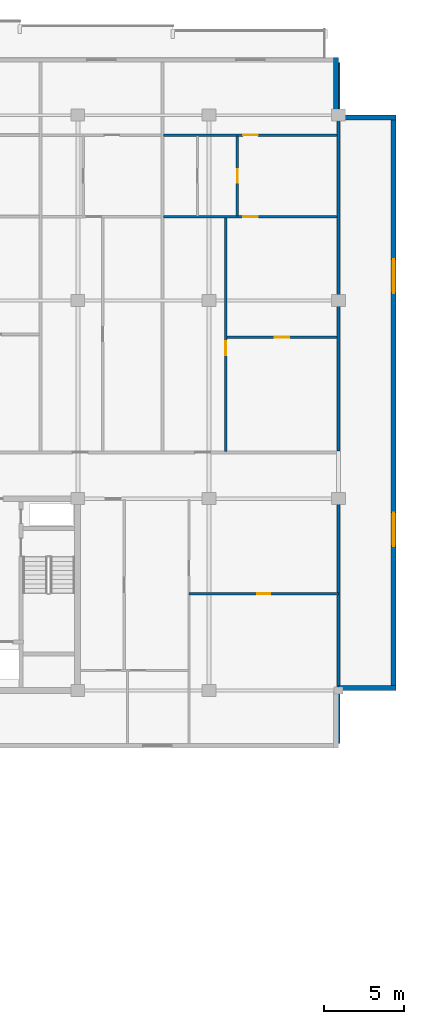
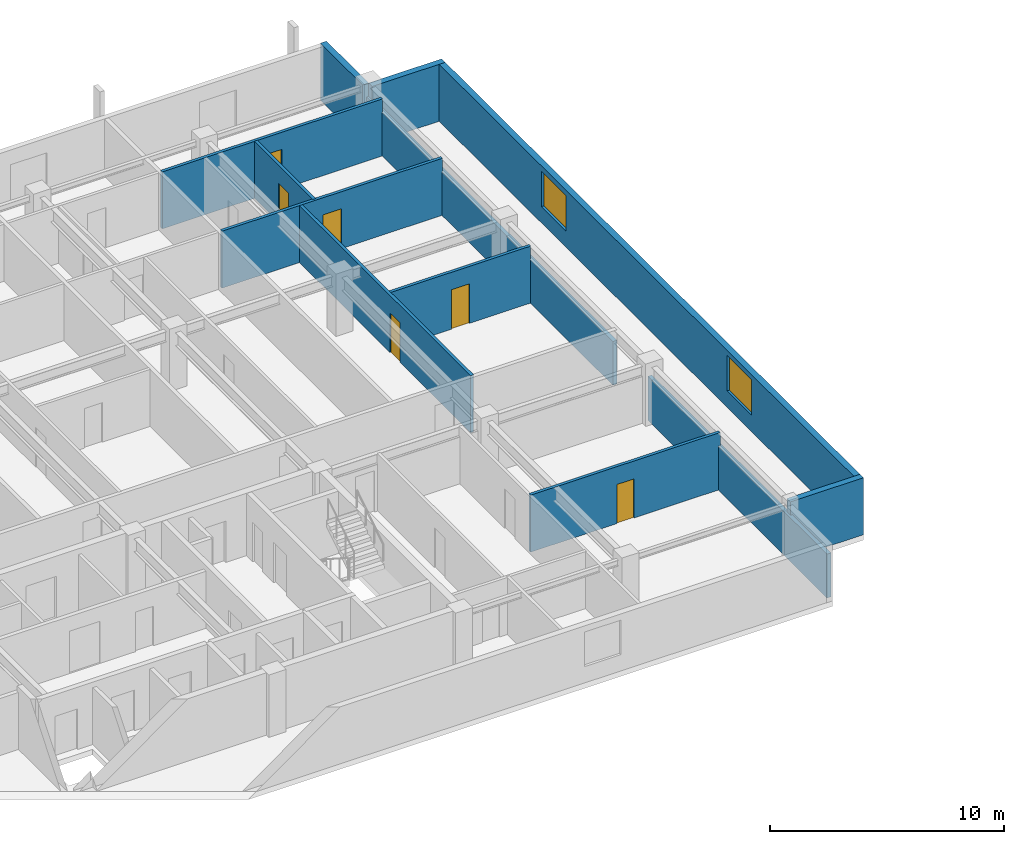
# One storey, part 15 of 21: 12 walls, 6 doors, 2 windows, 8 openings.
"""IFC4 building model written with IfcOpenShell, lengths in metres."""

from ifc_helpers import new_model, si_unit, direction, frame, frame_2d, origin, place, context, subcontext, project, spatial, rectangle, extrude, material, layer, layer_set, type_object, element, fill, save


model = new_model("IFC4")

# Units and contexts
model_context = context("Model", 3, precision=1e-05, world=origin(), true_north=direction((0.0, 1.0)))
body_context = subcontext(model_context, "Body", "Model", "MODEL_VIEW")
ifc_project = project(units=[si_unit("LENGTHUNIT", "METRE"), si_unit("AREAUNIT", "SQUARE_METRE"), si_unit("VOLUMEUNIT", "CUBIC_METRE"), si_unit("PLANEANGLEUNIT", "RADIAN"), si_unit("MASSUNIT", "GRAM", prefix="KILO")], contexts=[model_context])

# Site, building, storey
site_placement = place(None, origin())
site = spatial("IfcSite", under=ifc_project, at=site_placement, CompositionType="ELEMENT")
building_placement = place(site_placement, origin())
building = spatial("IfcBuilding", under=site, at=building_placement, Name="Korimba Cascade Residences", CompositionType="ELEMENT")
storey_placement = place(building_placement, frame((0.0, 0.0, 175.10009765625)))
storey = spatial("IfcBuildingStorey", under=building, at=storey_placement, Name="L50", CompositionType="ELEMENT", Elevation=175.10009765625)

# Wall
ifc_material_1 = material(Name="Precast concrete C40/50", Category="concrete")
ifc_layer_1 = layer(ifc_material_1, 0.300048828125)
ifc_layer_set_1 = layer_set([ifc_layer_1], Name="Precast concrete C40/50")
wall_type_1 = type_object("IfcWallType", Name="EW-STONE-300", PredefinedType="STANDARD", material=ifc_layer_set_1)
wall_1_placement = place(storey_placement, frame((128.39990234375, 55.35009765625, 0.0), z_axis=(0.0, 0.0, 1.0), x_axis=(1.0, 0.0, 0.0)))
element("IfcWall", 1, at=wall_1_placement, inside=storey, type_object=wall_type_1, Name="L50 T1 Perimeter Stone Wall E02", PredefinedType="STANDARD", context=body_context, shape_type="SweptSolid", body=[
    extrude(rectangle(XDim=3.60009765625, YDim=0.300048828125, at=frame_2d((1.800048828125, 0.0))), origin(), (0.0, 0.0, 1.0), 2.969970703125),
])

# Wall, openings, windows
wall_2_placement = place(storey_placement, frame((131.85009765625, 55.199951171875, 0.0), z_axis=(0.0, 0.0, 1.0), x_axis=(0.0, 1.0, 0.0)))
wall_2 = element("IfcWall", 2, at=wall_2_placement, inside=storey, type_object=wall_type_1, Name="L50 T1 Perimeter Stone Wall E03", PredefinedType="STANDARD", context=body_context, shape_type="SweptSolid", body=[
    extrude(rectangle(XDim=36.0, YDim=0.300048828125, at=frame_2d((18.0, 0.0))), origin(), (0.0, 0.0, 1.0), 2.969970703125),
])
opening_1_placement = place(wall_2_placement, frame((9.030029296875, 0.0, 0.85009765625)))
opening_1 = element("IfcOpeningElement", 3, at=opening_1_placement, cuts=wall_2, Name="Opening W-03", PredefinedType="OPENING", context=body_context, shape_type="SweptSolid", body=[
    extrude(rectangle(XDim=2.10009765625, YDim=1.85009765625, at=frame_2d((1.050048828125, 0.925048828125))), frame((0.0, 0.16015625, 0.0), z_axis=(0.0, -1.0, 0.0), x_axis=(1.0, 0.0, 0.0)), (0.0, 0.0, 1.0), 0.320068359375),
])
opening_2_placement = place(wall_2_placement, frame((24.8701171875, 0.0, 0.85009765625)))
opening_2 = element("IfcOpeningElement", 4, at=opening_2_placement, cuts=wall_2, Name="Opening W-03", PredefinedType="OPENING", context=body_context, shape_type="SweptSolid", body=[
    extrude(rectangle(XDim=2.10009765625, YDim=1.85009765625, at=frame_2d((1.050048828125, 0.925048828125))), frame((0.0, 0.16015625, 0.0), z_axis=(0.0, -1.0, 0.0), x_axis=(1.0, 0.0, 0.0)), (0.0, 0.0, 1.0), 0.320068359375),
])
ifc_material_2 = material(Name="Double-Glazed Aluminium Window", Category="aluminium")
window_type = type_object("IfcWindowType", Name="WIN-CRN-2100", PartitioningType="DOUBLE_PANEL_HORIZONTAL", PredefinedType="WINDOW", material=ifc_material_2)
window_1_placement = place(opening_1_placement, origin())
window_1 = element("IfcWindow", 5, at=window_1_placement, inside=storey, type_object=window_type, Name="L50 T1 End View Window 3.1", OverallHeight=1.85009765625, OverallWidth=2.10009765625, PartitioningType="DOUBLE_PANEL_HORIZONTAL", PredefinedType="WINDOW", context=body_context, shape_type="SweptSolid", body=[
    extrude(rectangle(XDim=2.10009765625, YDim=1.85009765625, at=frame_2d((1.050048828125, 0.925048828125))), frame((0.0, 0.030029296875, 0.0), z_axis=(0.0, -1.0, 0.0), x_axis=(1.0, 0.0, 0.0)), (0.0, 0.0, 1.0), 0.06005859375),
])
fill(opening_1, window_1)
window_2_placement = place(opening_2_placement, origin())
window_2 = element("IfcWindow", 6, at=window_2_placement, inside=storey, type_object=window_type, Name="L50 T1 End View Window 3.2", OverallHeight=1.85009765625, OverallWidth=2.10009765625, PartitioningType="DOUBLE_PANEL_HORIZONTAL", PredefinedType="WINDOW", context=body_context, shape_type="SweptSolid", body=[
    extrude(rectangle(XDim=2.10009765625, YDim=1.85009765625, at=frame_2d((1.050048828125, 0.925048828125))), frame((0.0, 0.030029296875, 0.0), z_axis=(0.0, -1.0, 0.0), x_axis=(1.0, 0.0, 0.0)), (0.0, 0.0, 1.0), 0.06005859375),
])
fill(opening_2, window_2)

# Walls
for number, where, z_axis, x_axis, name in (
    (7, (132.0, 91.050048828125, 0.0), (0.0, 0.0, 1.0), (-1.0, 0.0, 0.0), "L50 T1 Perimeter Stone Wall E04"),
    (8, (128.25, 91.199951171875, 0.0), (0.0, 0.0, 1.0), (0.0, 1.0, 0.0), "L50 T1 Perimeter Stone Wall E05"),
):
    element("IfcWall", number, at=place(storey_placement, frame(where, z_axis=z_axis, x_axis=x_axis)), inside=storey, type_object=wall_type_1, Name=name, PredefinedType="STANDARD", context=body_context, shape_type="SweptSolid", body=[
        extrude(rectangle(XDim=3.60009765625, YDim=0.300048828125, at=frame_2d((1.800048828125, 0.0))), origin(), (0.0, 0.0, 1.0), 2.969970703125),
    ])
ifc_layer_2 = layer(ifc_material_1, 0.199951171875)
ifc_layer_set_2 = layer_set([ifc_layer_2], Name="Precast concrete C40/50")
wall_type_2 = type_object("IfcWallType", Name="WAL-IT-200", PredefinedType="PARTITIONING", material=ifc_layer_set_2)
wall_3_placement = place(storey_placement, frame((128.39990234375, 51.89990234375, 0.0), z_axis=(0.0, 0.0, 1.0), x_axis=(0.0, 1.0, 0.0)))
element("IfcWall", 9, at=wall_3_placement, inside=storey, type_object=wall_type_2, Name="L50 Partition Wall WAL-L50-T1-FE-WR", PredefinedType="PARTITIONING", context=body_context, shape_type="SweptSolid", body=[
    extrude(rectangle(XDim=15.300048828125, YDim=0.199951171875, at=frame_2d((7.64990234375, 0.0))), origin(), (0.0, 0.0, 1.0), 2.277099609375),
])
wall_4_placement = place(storey_placement, frame((128.39990234375, 70.179931640625, 0.0), z_axis=(0.0, 0.0, 1.0), x_axis=(0.0, 1.0, 0.0)))
element("IfcWall", 10, at=wall_4_placement, inside=storey, type_object=wall_type_2, Name="L50 Partition Wall WAL-L50-T1-BNDWR", PredefinedType="PARTITIONING", context=body_context, shape_type="SweptSolid", body=[
    extrude(rectangle(XDim=24.320068359375, YDim=0.199951171875, at=frame_2d((12.16015625, 0.0))), origin(), (0.0, 0.0, 1.0), 2.277099609375),
])

# Wall, opening, door
ifc_material_3 = material(Name="Insulated Acoustic Stud Partition", Category="gypsum")
ifc_layer_3 = layer(ifc_material_3, 0.14990234375)
ifc_layer_set_3 = layer_set([ifc_layer_3], Name="Insulated Acoustic Stud Partition")
wall_type_3 = type_object("IfcWallType", Name="WAL-PART-150", PredefinedType="PARTITIONING", material=ifc_layer_set_3)
wall_5_placement = place(storey_placement, frame((119.050048828125, 61.25, 0.0), z_axis=(0.0, 0.0, 1.0), x_axis=(1.0, 0.0, 0.0)))
wall_5 = element("IfcWall", 11, at=wall_5_placement, inside=storey, type_object=wall_type_3, Name="L50 Partition Wall WAL-L50-T1-FE-STH", PredefinedType="PARTITIONING", context=body_context, shape_type="SweptSolid", body=[
    extrude(rectangle(XDim=9.349853515625, YDim=0.14990234375, at=frame_2d((4.6748046875, 0.0))), origin(), (0.0, 0.0, 1.0), 2.969970703125),
])
opening_3_placement = place(wall_5_placement, frame((4.2548828125, 0.0, 0.0)))
opening_3 = element("IfcOpeningElement", 12, at=opening_3_placement, cuts=wall_5, Name="Opening D-BT1", PredefinedType="OPENING", context=body_context, shape_type="SweptSolid", body=[
    extrude(rectangle(XDim=0.840087890625, YDim=2.0400390625, at=frame_2d((0.419921875, 1.02001953125))), frame((0.0, 0.0849609375, 0.0), z_axis=(0.0, -1.0, 0.0), x_axis=(1.0, 0.0, 0.0)), (0.0, 0.0, 1.0), 0.169921875),
])
ifc_material_4 = material(Name="Moisture-Resistant Bathroom Timber Door", Category="wood")
door_type_1 = type_object("IfcDoorType", Name="DR-INT-850", OperationType="NOTDEFINED", PredefinedType="DOOR", material=ifc_material_4)
door_1_placement = place(opening_3_placement, origin())
door_1 = element("IfcDoor", 13, at=door_1_placement, inside=storey, type_object=door_type_1, Name="L50-T1-FE Dressing Store Door", OperationType="SINGLE_SWING_LEFT", OverallHeight=2.0400390625, OverallWidth=0.840087890625, PredefinedType="DOOR", context=body_context, shape_type="SweptSolid", body=[
    extrude(rectangle(XDim=0.840087890625, YDim=2.0400390625, at=frame_2d((0.419921875, 1.02001953125))), frame((0.0, 0.02490234375, 0.0), z_axis=(0.0, -1.0, 0.0), x_axis=(1.0, 0.0, 0.0)), (0.0, 0.0, 1.0), 0.050048828125),
])
fill(opening_3, door_1)

wall_6_placement = place(storey_placement, frame((121.413818359375, 77.304931640625, 0.0), z_axis=(0.0, 0.0, 1.0), x_axis=(1.0, 0.0, 0.0)))
wall_6 = element("IfcWall", 14, at=wall_6_placement, inside=storey, type_object=wall_type_3, Name="L50 Partition Wall WAL-L50-T1-U06-FMH", PredefinedType="PARTITIONING", context=body_context, shape_type="SweptSolid", body=[
    extrude(rectangle(XDim=6.90625, YDim=0.14990234375, at=frame_2d((3.453125, 0.0))), origin(), (0.0, 0.0, 1.0), 2.969970703125),
])
opening_4_placement = place(wall_6_placement, frame((3.012939453125, 0.0, 0.0)))
opening_4 = element("IfcOpeningElement", 15, at=opening_4_placement, cuts=wall_6, Name="Opening D-IN2", PredefinedType="OPENING", context=body_context, shape_type="SweptSolid", body=[
    extrude(rectangle(XDim=0.8798828125, YDim=2.06005859375, at=frame_2d((0.43994140625, 1.030029296875))), frame((0.0, 0.0849609375, 0.0), z_axis=(0.0, -1.0, 0.0), x_axis=(1.0, 0.0, 0.0)), (0.0, 0.0, 1.0), 0.169921875),
])
ifc_material_5 = material(Name="Acoustic Timber Bedroom Door", Category="wood")
door_type_2 = type_object("IfcDoorType", Name="DR-INT-880", OperationType="NOTDEFINED", PredefinedType="DOOR", material=ifc_material_5)
door_2_placement = place(opening_4_placement, origin())
door_2 = element("IfcDoor", 16, at=door_2_placement, inside=storey, type_object=door_type_2, Name="L50-T1-U06 Library Salon Door", OperationType="SINGLE_SWING_RIGHT", OverallHeight=2.06005859375, OverallWidth=0.8798828125, PredefinedType="DOOR", context=body_context, shape_type="SweptSolid", body=[
    extrude(rectangle(XDim=0.8798828125, YDim=2.06005859375, at=frame_2d((0.43994140625, 1.030029296875))), frame((0.0, 0.02490234375, 0.0), z_axis=(0.0, -1.0, 0.0), x_axis=(1.0, 0.0, 0.0)), (0.0, 0.0, 1.0), 0.050048828125),
])
fill(opening_4, door_2)

wall_7_placement = place(storey_placement, frame((121.35400390625, 70.159912109375, 0.0), z_axis=(0.0, 0.0, 1.0), x_axis=(0.0, 1.0, 0.0)))
wall_7 = element("IfcWall", 17, at=wall_7_placement, inside=storey, type_object=wall_type_3, Name="L50 Partition Wall WAL-L50-T1-U06-FV", PredefinedType="PARTITIONING", context=body_context, shape_type="SweptSolid", body=[
    extrude(rectangle(XDim=14.650146484375, YDim=0.14990234375, at=frame_2d((7.3251953125, 0.0))), origin(), (0.0, 0.0, 1.0), 2.969970703125),
])
opening_5_placement = place(wall_7_placement, frame((6.014892578125, 0.0, 0.0)))
opening_5 = element("IfcOpeningElement", 18, at=opening_5_placement, cuts=wall_7, Name="Opening D-IN2", PredefinedType="OPENING", context=body_context, shape_type="SweptSolid", body=[
    extrude(rectangle(XDim=0.8798828125, YDim=2.06005859375, at=frame_2d((0.43994140625, 1.030029296875))), frame((0.0, 0.0849609375, 0.0), z_axis=(0.0, -1.0, 0.0), x_axis=(1.0, 0.0, 0.0)), (0.0, 0.0, 1.0), 0.169921875),
])
door_3_placement = place(opening_5_placement, origin())
door_3 = element("IfcDoor", 19, at=door_3_placement, inside=storey, type_object=door_type_2, Name="L50-T1-U06 Media Lounge Door", OperationType="SINGLE_SWING_LEFT", OverallHeight=2.06005859375, OverallWidth=0.8798828125, PredefinedType="DOOR", context=body_context, shape_type="SweptSolid", body=[
    extrude(rectangle(XDim=0.8798828125, YDim=2.06005859375, at=frame_2d((0.43994140625, 1.030029296875))), frame((0.0, 0.02490234375, 0.0), z_axis=(0.0, -1.0, 0.0), x_axis=(1.0, 0.0, 0.0)), (0.0, 0.0, 1.0), 0.050048828125),
])
fill(opening_5, door_3)

wall_8_placement = place(storey_placement, frame((122.080078125, 84.889892578125, 0.0), z_axis=(0.0, 0.0, 1.0), x_axis=(0.0, 1.0, 0.0)))
wall_8 = element("IfcWall", 20, at=wall_8_placement, inside=storey, type_object=wall_type_3, Name="L50 Partition Wall WAL-L50-T1-U06-BM", PredefinedType="PARTITIONING", context=body_context, shape_type="SweptSolid", body=[
    extrude(rectangle(XDim=5.0, YDim=0.14990234375, at=frame_2d((2.5, 0.0))), origin(), (0.0, 0.0, 1.0), 2.969970703125),
])
opening_6_placement = place(wall_8_placement, frame((2.080078125, 0.0, 0.0)))
opening_6 = element("IfcOpeningElement", 21, at=opening_6_placement, cuts=wall_8, Name="Opening D-BT1", PredefinedType="OPENING", context=body_context, shape_type="SweptSolid", body=[
    extrude(rectangle(XDim=0.840087890625, YDim=2.0400390625, at=frame_2d((0.419921875, 1.02001953125))), frame((0.0, 0.0849609375, 0.0), z_axis=(0.0, -1.0, 0.0), x_axis=(1.0, 0.0, 0.0)), (0.0, 0.0, 1.0), 0.169921875),
])
door_4_placement = place(opening_6_placement, origin())
door_4 = element("IfcDoor", 22, at=door_4_placement, inside=storey, type_object=door_type_1, Name="L50-T1-U06 Bathroom Door", OperationType="SINGLE_SWING_LEFT", OverallHeight=2.0400390625, OverallWidth=0.840087890625, PredefinedType="DOOR", context=body_context, shape_type="SweptSolid", body=[
    extrude(rectangle(XDim=0.840087890625, YDim=2.0400390625, at=frame_2d((0.419921875, 1.02001953125))), frame((0.0, 0.02490234375, 0.0), z_axis=(0.0, -1.0, 0.0), x_axis=(1.0, 0.0, 0.0)), (0.0, 0.0, 1.0), 0.050048828125),
])
fill(opening_6, door_4)

wall_9_placement = place(storey_placement, frame((117.4638671875, 84.85009765625, 0.0), z_axis=(0.0, 0.0, 1.0), x_axis=(1.0, 0.0, 0.0)))
wall_9 = element("IfcWall", 23, at=wall_9_placement, inside=storey, type_object=wall_type_3, Name="L50 Partition Wall WAL-L50-T1-U06-MW", PredefinedType="PARTITIONING", context=body_context, shape_type="SweptSolid", body=[
    extrude(rectangle(XDim=10.856201171875, YDim=0.14990234375, at=frame_2d((5.42822265625, 0.0))), origin(), (0.0, 0.0, 1.0), 2.969970703125),
])
opening_7_placement = place(wall_9_placement, frame((4.968017578125, 0.0, 0.0)))
opening_7 = element("IfcOpeningElement", 24, at=opening_7_placement, cuts=wall_9, Name="Opening D-IN1", PredefinedType="OPENING", context=body_context, shape_type="SweptSolid", body=[
    extrude(rectangle(XDim=0.919921875, YDim=2.080078125, at=frame_2d((0.4599609375, 1.0400390625))), frame((0.0, 0.0849609375, 0.0), z_axis=(0.0, -1.0, 0.0), x_axis=(1.0, 0.0, 0.0)), (0.0, 0.0, 1.0), 0.169921875),
])
ifc_material_6 = material(Name="Acoustic Timber Living Door", Category="wood")
door_type_3 = type_object("IfcDoorType", Name="DR-INT-920", OperationType="NOTDEFINED", PredefinedType="DOOR", material=ifc_material_6)
door_5_placement = place(opening_7_placement, origin())
door_5 = element("IfcDoor", 25, at=door_5_placement, inside=storey, type_object=door_type_3, Name="L50-T1-U06 Studio Kitchen Door", OperationType="SINGLE_SWING_RIGHT", OverallHeight=2.080078125, OverallWidth=0.919921875, PredefinedType="DOOR", context=body_context, shape_type="SweptSolid", body=[
    extrude(rectangle(XDim=0.919921875, YDim=2.080078125, at=frame_2d((0.4599609375, 1.0400390625))), frame((0.0, 0.02490234375, 0.0), z_axis=(0.0, -1.0, 0.0), x_axis=(1.0, 0.0, 0.0)), (0.0, 0.0, 1.0), 0.050048828125),
])
fill(opening_7, door_5)

wall_10_placement = place(storey_placement, frame((117.4638671875, 89.949951171875, 0.0), z_axis=(0.0, 0.0, 1.0), x_axis=(1.0, 0.0, 0.0)))
wall_10 = element("IfcWall", 26, at=wall_10_placement, inside=storey, type_object=wall_type_3, Name="L50 Partition Wall WAL-L50-T1-U06-HZ", PredefinedType="PARTITIONING", context=body_context, shape_type="SweptSolid", body=[
    extrude(rectangle(XDim=10.856201171875, YDim=0.14990234375, at=frame_2d((5.42822265625, 0.0))), origin(), (0.0, 0.0, 1.0), 2.969970703125),
])
opening_8_placement = place(wall_10_placement, frame((4.968017578125, 0.0, 0.0)))
opening_8 = element("IfcOpeningElement", 27, at=opening_8_placement, cuts=wall_10, Name="Opening D-IN1", PredefinedType="OPENING", context=body_context, shape_type="SweptSolid", body=[
    extrude(rectangle(XDim=0.919921875, YDim=2.080078125, at=frame_2d((0.4599609375, 1.0400390625))), frame((0.0, 0.0849609375, 0.0), z_axis=(0.0, -1.0, 0.0), x_axis=(1.0, 0.0, 0.0)), (0.0, 0.0, 1.0), 0.169921875),
])
door_6_placement = place(opening_8_placement, origin())
door_6 = element("IfcDoor", 28, at=door_6_placement, inside=storey, type_object=door_type_3, Name="L50-T1-U06 Studio Door", OperationType="SINGLE_SWING_LEFT", OverallHeight=2.080078125, OverallWidth=0.919921875, PredefinedType="DOOR", context=body_context, shape_type="SweptSolid", body=[
    extrude(rectangle(XDim=0.919921875, YDim=2.080078125, at=frame_2d((0.4599609375, 1.0400390625))), frame((0.0, 0.02490234375, 0.0), z_axis=(0.0, -1.0, 0.0), x_axis=(1.0, 0.0, 0.0)), (0.0, 0.0, 1.0), 0.050048828125),
])
fill(opening_8, door_6)

save(model, "model.ifc")
